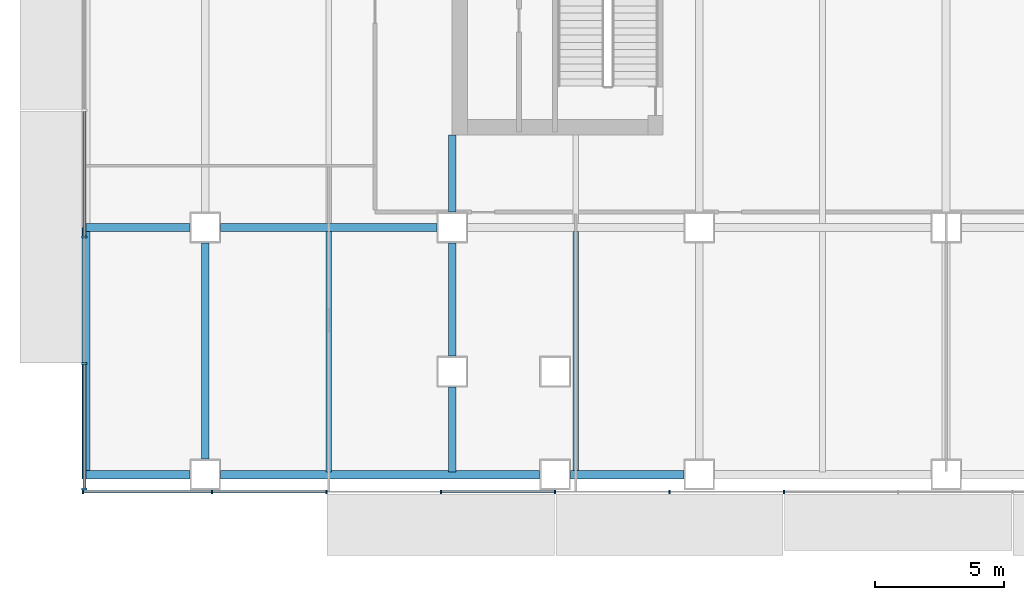
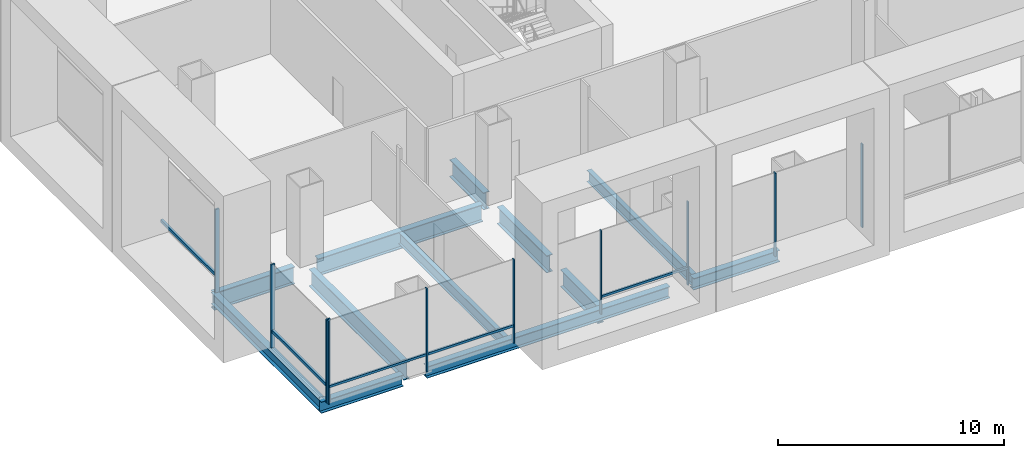
# One storey, part 2 of 23: 15 members, 12 beams, 2 elements without a shape of their own.
"""IFC4 building model written with IfcOpenShell, lengths in metres."""

from ifc_helpers import new_model, si_unit, direction, frame, origin, origin_2d, place, context, subcontext, project, spatial, rectangle, i_section, extrude, material, material_profile, profile_set, type_object, element, aggregate, save


model = new_model("IFC4")

# Units and contexts
model_context = context("Model", 3, precision=1e-05, world=origin(), true_north=direction((0.0, 1.0)))
body_context = subcontext(model_context, "Body", "Model", "MODEL_VIEW")
ifc_project = project(units=[si_unit("LENGTHUNIT", "METRE"), si_unit("AREAUNIT", "SQUARE_METRE"), si_unit("VOLUMEUNIT", "CUBIC_METRE"), si_unit("PLANEANGLEUNIT", "RADIAN"), si_unit("MASSUNIT", "GRAM", prefix="KILO")], contexts=[model_context])

# Site, building, storey
site_placement = place(None, origin())
site = spatial("IfcSite", under=ifc_project, at=site_placement, CompositionType="ELEMENT")
building_placement = place(site_placement, origin())
building = spatial("IfcBuilding", under=site, at=building_placement, Name="Cobrizo Arcos Hotel Tower", CompositionType="ELEMENT")
storey_placement = place(building_placement, frame((0.0, 0.0, 15.5)))
storey = spatial("IfcBuildingStorey", under=building, at=storey_placement, Name="L02", CompositionType="ELEMENT", Elevation=15.5)

# Curtain wall, members
ifc_material_1 = material(Name="Aluminium 6063-T6 anodised bronze", Category="aluminium")
curtain_wall_type_1 = type_object("IfcCurtainWallType", Name="CW-A guest facade", PredefinedType="NOTDEFINED", material=ifc_material_1)
curtain_wall_1_placement = place(storey_placement, origin())
curtain_wall_1 = element("IfcCurtainWall", 1, at=curtain_wall_1_placement, inside=storey, type_object=curtain_wall_type_1, Name="CW-A L02 S face", PredefinedType="NOTDEFINED")
ifc_material_profile_1 = material_profile(ifc_material_1, rectangle(XDim=0.14990234375, YDim=0.06005859375, at=origin_2d()), Name="CW-A mullion 150x60")
ifc_profile_set_1 = profile_set([ifc_material_profile_1], Name="Aluminium 6063-T6 anodised bronze")
member_type_1 = type_object("IfcMemberType", Name="CW-A mullion 150x60", PredefinedType="MULLION", material=ifc_profile_set_1)
member_1_placement = place(storey_placement, frame((-38.344970703125, -24.675048828125, 0.0), z_axis=(0.0, 0.0, 1.0), x_axis=(0.0, -1.0, 0.0)))
member_1 = element("IfcMember", 2, at=member_1_placement, type_object=member_type_1, Name="CW-A mullion 1", PredefinedType="MULLION", context=body_context, shape_type="SweptSolid", body=[
    extrude(rectangle(XDim=0.14990234375, YDim=0.06005859375, at=origin_2d()), origin(), (0.0, 0.0, 1.0), 4.5),
])
member_2_placement = place(storey_placement, frame((-33.333251953125, -24.675048828125, 0.0), z_axis=(0.0, 0.0, 1.0), x_axis=(0.0, -1.0, 0.0)))
member_2 = element("IfcMember", 3, at=member_2_placement, type_object=member_type_1, Name="CW-A mullion 2", PredefinedType="MULLION", context=body_context, shape_type="SweptSolid", body=[
    extrude(rectangle(XDim=0.14990234375, YDim=0.06005859375, at=origin_2d()), origin(), (0.0, 0.0, 1.0), 4.5),
])
member_3_placement = place(storey_placement, frame((-28.888916015625, -24.675048828125, 0.0), z_axis=(0.0, 0.0, 1.0), x_axis=(0.0, -1.0, 0.0)))
member_3 = element("IfcMember", 4, at=member_3_placement, type_object=member_type_1, Name="CW-A mullion 3", PredefinedType="MULLION", context=body_context, shape_type="SweptSolid", body=[
    extrude(rectangle(XDim=0.14990234375, YDim=0.06005859375, at=origin_2d()), origin(), (0.0, 0.0, 1.0), 4.5),
])
member_4_placement = place(storey_placement, frame((-24.4443359375, -24.675048828125, 0.0), z_axis=(0.0, 0.0, 1.0), x_axis=(0.0, -1.0, 0.0)))
member_4 = element("IfcMember", 5, at=member_4_placement, type_object=member_type_1, Name="CW-A mullion 4", PredefinedType="MULLION", context=body_context, shape_type="SweptSolid", body=[
    extrude(rectangle(XDim=0.14990234375, YDim=0.06005859375, at=origin_2d()), origin(), (0.0, 0.0, 1.0), 4.5),
])
member_5_placement = place(storey_placement, frame((-20.0, -24.675048828125, 0.0), z_axis=(0.0, 0.0, 1.0), x_axis=(0.0, -1.0, 0.0)))
member_5 = element("IfcMember", 6, at=member_5_placement, type_object=member_type_1, Name="CW-A mullion 5", PredefinedType="MULLION", context=body_context, shape_type="SweptSolid", body=[
    extrude(rectangle(XDim=0.14990234375, YDim=0.06005859375, at=origin_2d()), origin(), (0.0, 0.0, 1.0), 4.5),
])
member_6_placement = place(storey_placement, frame((-15.5556640625, -24.675048828125, 0.0), z_axis=(0.0, 0.0, 1.0), x_axis=(0.0, -1.0, 0.0)))
member_6 = element("IfcMember", 7, at=member_6_placement, type_object=member_type_1, Name="CW-A mullion 6", PredefinedType="MULLION", context=body_context, shape_type="SweptSolid", body=[
    extrude(rectangle(XDim=0.14990234375, YDim=0.06005859375, at=origin_2d()), origin(), (0.0, 0.0, 1.0), 4.5),
])
member_7_placement = place(storey_placement, frame((-11.111083984375, -24.675048828125, 0.0), z_axis=(0.0, 0.0, 1.0), x_axis=(0.0, -1.0, 0.0)))
member_7 = element("IfcMember", 8, at=member_7_placement, type_object=member_type_1, Name="CW-A mullion 7", PredefinedType="MULLION", context=body_context, shape_type="SweptSolid", body=[
    extrude(rectangle(XDim=0.14990234375, YDim=0.06005859375, at=origin_2d()), origin(), (0.0, 0.0, 1.0), 4.5),
])
ifc_material_profile_2 = material_profile(ifc_material_1, rectangle(XDim=0.10009765625, YDim=0.1201171875, at=origin_2d()), Name="CW-A transom 120x100")
ifc_profile_set_2 = profile_set([ifc_material_profile_2], Name="Aluminium 6063-T6 anodised bronze")
member_type_2 = type_object("IfcMemberType", Name="CW-A transom 120x100", PredefinedType="USERDEFINED", material=ifc_profile_set_2)
member_8_placement = place(storey_placement, frame((-38.31494140625, -24.675048828125, 0.929931640625), z_axis=(1.0, 0.0, 0.0), x_axis=(0.0, 1.0, 0.0)))
member_8 = element("IfcMember", 9, at=member_8_placement, type_object=member_type_2, Name="CW-A transom 144", ObjectType="TRANSOM", PredefinedType="USERDEFINED", context=body_context, shape_type="SweptSolid", body=[
    extrude(rectangle(XDim=0.10009765625, YDim=0.1201171875, at=origin_2d()), origin(), (0.0, 0.0, 1.0), 4.95166015625),
])
member_9_placement = place(storey_placement, frame((-33.30322265625, -24.675048828125, 0.929931640625), z_axis=(1.0, 0.0, 0.0), x_axis=(0.0, 1.0, 0.0)))
member_9 = element("IfcMember", 10, at=member_9_placement, type_object=member_type_2, Name="CW-A transom 145", ObjectType="TRANSOM", PredefinedType="USERDEFINED", context=body_context, shape_type="SweptSolid", body=[
    extrude(rectangle(XDim=0.10009765625, YDim=0.1201171875, at=origin_2d()), origin(), (0.0, 0.0, 1.0), 4.38427734375),
])
member_10_placement = place(storey_placement, frame((-24.41455078125, -24.675048828125, 0.929931640625), z_axis=(1.0, 0.0, 0.0), x_axis=(0.0, 1.0, 0.0)))
member_10 = element("IfcMember", 11, at=member_10_placement, type_object=member_type_2, Name="CW-A transom 147", ObjectType="TRANSOM", PredefinedType="USERDEFINED", context=body_context, shape_type="SweptSolid", body=[
    extrude(rectangle(XDim=0.10009765625, YDim=0.1201171875, at=origin_2d()), origin(), (0.0, 0.0, 1.0), 4.384521484375),
])
aggregate(curtain_wall_1, [member_1, member_2, member_3, member_4, member_5, member_6, member_7, member_8, member_9, member_10])

curtain_wall_type_2 = type_object("IfcCurtainWallType", Name="CW-B podium glazing", PredefinedType="NOTDEFINED", material=ifc_material_1)
curtain_wall_2_placement = place(storey_placement, origin())
curtain_wall_2 = element("IfcCurtainWall", 12, at=curtain_wall_2_placement, inside=storey, type_object=curtain_wall_type_2, Name="CW-B L02 W face", PredefinedType="NOTDEFINED")
ifc_material_profile_3 = material_profile(ifc_material_1, rectangle(XDim=0.199951171875, YDim=0.080078125, at=origin_2d()), Name="CW-B mullion 200x80")
ifc_profile_set_3 = profile_set([ifc_material_profile_3], Name="Aluminium 6063-T6 anodised bronze")
member_type_3 = type_object("IfcMemberType", Name="CW-B mullion 200x80", PredefinedType="MULLION", material=ifc_profile_set_3)
member_11_placement = place(storey_placement, frame((-38.300048828125, -14.760009765625, 0.0), z_axis=(0.0, 0.0, 1.0), x_axis=(-1.0, 0.0, 0.0)))
member_11 = element("IfcMember", 13, at=member_11_placement, type_object=member_type_3, Name="CW-B mullion 9", PredefinedType="MULLION", context=body_context, shape_type="SweptSolid", body=[
    extrude(rectangle(XDim=0.199951171875, YDim=0.080078125, at=origin_2d()), origin(), (0.0, 0.0, 1.0), 4.5),
])
member_12_placement = place(storey_placement, frame((-38.300048828125, -19.679931640625, 0.0), z_axis=(0.0, 0.0, 1.0), x_axis=(-1.0, 0.0, 0.0)))
member_12 = element("IfcMember", 14, at=member_12_placement, type_object=member_type_3, Name="CW-B mullion 10", PredefinedType="MULLION", context=body_context, shape_type="SweptSolid", body=[
    extrude(rectangle(XDim=0.199951171875, YDim=0.080078125, at=origin_2d()), origin(), (0.0, 0.0, 1.0), 4.5),
])
member_13_placement = place(storey_placement, frame((-38.300048828125, -24.56005859375, 0.0), z_axis=(0.0, 0.0, 1.0), x_axis=(-1.0, 0.0, 0.0)))
member_13 = element("IfcMember", 15, at=member_13_placement, type_object=member_type_3, Name="CW-B mullion 11", PredefinedType="MULLION", context=body_context, shape_type="SweptSolid", body=[
    extrude(rectangle(XDim=0.199951171875, YDim=0.080078125, at=origin_2d()), origin(), (0.0, 0.0, 1.0), 4.5),
])
ifc_material_profile_4 = material_profile(ifc_material_1, rectangle(XDim=0.1201171875, YDim=0.159912109375, at=origin_2d()), Name="CW-B transom 160x120")
ifc_profile_set_4 = profile_set([ifc_material_profile_4], Name="Aluminium 6063-T6 anodised bronze")
member_type_4 = type_object("IfcMemberType", Name="CW-B transom 160x120", PredefinedType="USERDEFINED", material=ifc_profile_set_4)
member_14_placement = place(storey_placement, frame((-38.300048828125, -9.8798828125, 0.89990234375), z_axis=(0.0, -1.0, 0.0), x_axis=(1.0, 0.0, 0.0)))
member_14 = element("IfcMember", 16, at=member_14_placement, type_object=member_type_4, Name="CW-B transom 141", ObjectType="TRANSOM", PredefinedType="USERDEFINED", context=body_context, shape_type="SweptSolid", body=[
    extrude(rectangle(XDim=0.1201171875, YDim=0.159912109375, at=origin_2d()), origin(), (0.0, 0.0, 1.0), 4.840087890625),
])
member_15_placement = place(storey_placement, frame((-38.300048828125, -19.719970703125, 0.89990234375), z_axis=(0.0, -1.0, 0.0), x_axis=(1.0, 0.0, 0.0)))
member_15 = element("IfcMember", 17, at=member_15_placement, type_object=member_type_4, Name="CW-B transom 143", ObjectType="TRANSOM", PredefinedType="USERDEFINED", context=body_context, shape_type="SweptSolid", body=[
    extrude(rectangle(XDim=0.1201171875, YDim=0.159912109375, at=origin_2d()), origin(), (0.0, 0.0, 1.0), 4.800048828125),
])
aggregate(curtain_wall_2, [member_11, member_12, member_13, member_14, member_15])

# Beams
ifc_material_2 = material(Name="Steel ASTM A992 Grade 50", Category="steel")
ifc_material_profile_5 = material_profile(ifc_material_2, i_section(OverallWidth=0.32763671875, OverallDepth=0.622314453125, WebThickness=0.015380859375, FlangeThickness=0.0244140625, at=origin_2d()), Name="W24X131")
ifc_profile_set_5 = profile_set([ifc_material_profile_5], Name="Steel ASTM A992 Grade 50")
beam_type_1 = type_object("IfcBeamType", Name="W24X131 edge beam", PredefinedType="BEAM", material=ifc_profile_set_5)
beam_1_placement = place(storey_placement, frame((-38.236083984375, -14.39990234375, -0.510986328125), z_axis=(0.0, -1.0, 0.0), x_axis=(1.0, 0.0, 0.0)))
element("IfcBeam", 18, at=beam_1_placement, inside=storey, type_object=beam_type_1, Name="Edge beam EB1, L02, no. 012", PredefinedType="BEAM", context=body_context, shape_type="SweptSolid", body=[
    extrude(i_section(OverallWidth=0.32763671875, OverallDepth=0.622314453125, WebThickness=0.015380859375, FlangeThickness=0.0244140625, at=origin_2d()), origin(), (0.0, 0.0, 1.0), 9.60009765625),
])
beam_2_placement = place(storey_placement, frame((-38.39990234375, -24.0, -0.510986328125), z_axis=(1.0, 0.0, 0.0), x_axis=(0.0, 1.0, 0.0)))
element("IfcBeam", 19, at=beam_2_placement, inside=storey, type_object=beam_type_1, Name="Edge beam EB1, L02, no. 013", PredefinedType="BEAM", context=body_context, shape_type="SweptSolid", body=[
    extrude(i_section(OverallWidth=0.32763671875, OverallDepth=0.622314453125, WebThickness=0.015380859375, FlangeThickness=0.0244140625, at=origin_2d()), origin(), (0.0, 0.0, 1.0), 4.199951171875),
])
ifc_material_profile_6 = material_profile(ifc_material_2, i_section(OverallWidth=0.32763671875, OverallDepth=0.622314453125, WebThickness=0.015380859375, FlangeThickness=0.0244140625, at=origin_2d()), Name="W24X131")
ifc_profile_set_6 = profile_set([ifc_material_profile_6], Name="Steel ASTM A992 Grade 50")
beam_type_2 = type_object("IfcBeamType", Name="W24X131 spandrel", PredefinedType="SPANDREL", material=ifc_profile_set_6)
beam_3_placement = place(storey_placement, frame((-33.0, -24.0, -0.510986328125), z_axis=(1.0, 0.0, 0.0), x_axis=(0.0, 1.0, 0.0)))
element("IfcBeam", 20, at=beam_3_placement, inside=storey, type_object=beam_type_2, Name="Spandrel beam W24X131, L02, no. 008", PredefinedType="SPANDREL", context=body_context, shape_type="SweptSolid", body=[
    extrude(i_section(OverallWidth=0.32763671875, OverallDepth=0.622314453125, WebThickness=0.015380859375, FlangeThickness=0.0244140625, at=origin_2d()), origin(), (0.0, 0.0, 1.0), 12.39990234375),
])
beam_4_placement = place(storey_placement, frame((-19.39990234375, -24.0, -0.510986328125), z_axis=(1.0, 0.0, 0.0), x_axis=(0.0, 1.0, 0.0)))
element("IfcBeam", 21, at=beam_4_placement, inside=storey, type_object=beam_type_2, Name="Spandrel beam W24X131, L02, no. 009", PredefinedType="SPANDREL", context=body_context, shape_type="SweptSolid", body=[
    extrude(i_section(OverallWidth=0.32763671875, OverallDepth=0.622314453125, WebThickness=0.015380859375, FlangeThickness=0.0244140625, at=origin_2d()), origin(), (0.0, 0.0, 1.0), 4.39990234375),
])
ifc_material_profile_7 = material_profile(ifc_material_2, i_section(OverallWidth=0.23046875, OverallDepth=0.6171875, WebThickness=0.01318359375, FlangeThickness=0.022216796875, at=origin_2d()), Name="W24X94")
ifc_profile_set_7 = profile_set([ifc_material_profile_7], Name="Steel ASTM A992 Grade 50")
beam_type_3 = type_object("IfcBeamType", Name="W24X94 podium joist", PredefinedType="JOIST", material=ifc_profile_set_7)
for number, where, z_axis, x_axis, name in (
    (22, (-28.800048828125, -23.909912109375, -0.508544921875), (0.0, 1.0, 0.0), (-1.0, 0.0, 0.0), "Podium joist PJ1, L02, no. 001"),
    (23, (-19.199951171875, -23.909912109375, -0.508544921875), (0.0, 1.0, 0.0), (-1.0, 0.0, 0.0), "Podium joist PJ1, L02, no. 006"),
):
    element("IfcBeam", number, at=place(storey_placement, frame(where, z_axis=z_axis, x_axis=x_axis)), inside=storey, type_object=beam_type_3, Name=name, PredefinedType="JOIST", context=body_context, shape_type="SweptSolid", body=[
        extrude(i_section(OverallWidth=0.23046875, OverallDepth=0.6171875, WebThickness=0.01318359375, FlangeThickness=0.022216796875, at=origin_2d()), origin(), (0.0, 0.0, 1.0), 9.356201171875),
    ])
ifc_material_profile_8 = material_profile(ifc_material_2, i_section(OverallWidth=0.307373046875, OverallDepth=0.927001953125, WebThickness=0.01953125, FlangeThickness=0.031982421875, at=origin_2d()), Name="W36X194")
ifc_profile_set_8 = profile_set([ifc_material_profile_8], Name="Steel ASTM A992 Grade 50")
beam_type_4 = type_object("IfcBeamType", Name="W36X194 podium girder", PredefinedType="BEAM", material=ifc_profile_set_8)
beam_5_placement = place(storey_placement, frame((-38.31005859375, -14.39990234375, -0.66357421875), z_axis=(1.0, 0.0, 0.0), x_axis=(0.0, 1.0, 0.0)))
element("IfcBeam", 24, at=beam_5_placement, inside=storey, type_object=beam_type_4, Name="Podium girder PG1, L02, no. 001", PredefinedType="BEAM", context=body_context, shape_type="SweptSolid", body=[
    extrude(i_section(OverallWidth=0.307373046875, OverallDepth=0.927001953125, WebThickness=0.01953125, FlangeThickness=0.031982421875, at=origin_2d()), origin(), (0.0, 0.0, 1.0), 4.110107421875),
])
for number, where, z_axis, x_axis, name in (
    (25, (-33.0, -14.39990234375, -0.66357421875), (1.0, 0.0, 0.0), (0.0, 1.0, 0.0), "Podium girder PG1, L02, no. 002"),
    (26, (-33.60009765625, -23.39990234375, -0.66357421875), (0.0, 1.0, 0.0), (-1.0, 0.0, 0.0), "Podium girder PG1, L02, no. 035"),
):
    element("IfcBeam", number, at=place(storey_placement, frame(where, z_axis=z_axis, x_axis=x_axis)), inside=storey, type_object=beam_type_4, Name=name, PredefinedType="BEAM", context=body_context, shape_type="SweptSolid", body=[
        extrude(i_section(OverallWidth=0.307373046875, OverallDepth=0.927001953125, WebThickness=0.01953125, FlangeThickness=0.031982421875, at=origin_2d()), origin(), (0.0, 0.0, 1.0), 8.39990234375),
    ])
beam_6_placement = place(storey_placement, frame((-24.0, -23.909912109375, -0.66357421875), z_axis=(0.0, 1.0, 0.0), x_axis=(-1.0, 0.0, 0.0)))
element("IfcBeam", 27, at=beam_6_placement, inside=storey, type_object=beam_type_4, Name="Podium girder PG1, L02, no. 040", PredefinedType="BEAM", context=body_context, shape_type="SweptSolid", body=[
    extrude(i_section(OverallWidth=0.307373046875, OverallDepth=0.927001953125, WebThickness=0.01953125, FlangeThickness=0.031982421875, at=origin_2d()), origin(), (0.0, 0.0, 1.0), 3.309814453125),
])
beam_7_placement = place(storey_placement, frame((-24.0, -19.39990234375, -0.66357421875), z_axis=(0.0, 1.0, 0.0), x_axis=(-1.0, 0.0, 0.0)))
element("IfcBeam", 28, at=beam_7_placement, inside=storey, type_object=beam_type_4, Name="Podium girder PG1, L02, no. 041", PredefinedType="BEAM", context=body_context, shape_type="SweptSolid", body=[
    extrude(i_section(OverallWidth=0.307373046875, OverallDepth=0.927001953125, WebThickness=0.01953125, FlangeThickness=0.031982421875, at=origin_2d()), origin(), (0.0, 0.0, 1.0), 4.39990234375),
])
beam_8_placement = place(storey_placement, frame((-24.0, -13.800048828125, -0.66357421875), z_axis=(0.0, 1.0, 0.0), x_axis=(-1.0, 0.0, 0.0)))
element("IfcBeam", 29, at=beam_8_placement, inside=storey, type_object=beam_type_4, Name="Podium girder PG1, L02, no. 042", PredefinedType="BEAM", context=body_context, shape_type="SweptSolid", body=[
    extrude(i_section(OverallWidth=0.307373046875, OverallDepth=0.927001953125, WebThickness=0.01953125, FlangeThickness=0.031982421875, at=origin_2d()), origin(), (0.0, 0.0, 1.0), 2.989990234375),
])

save(model, "model.ifc")
